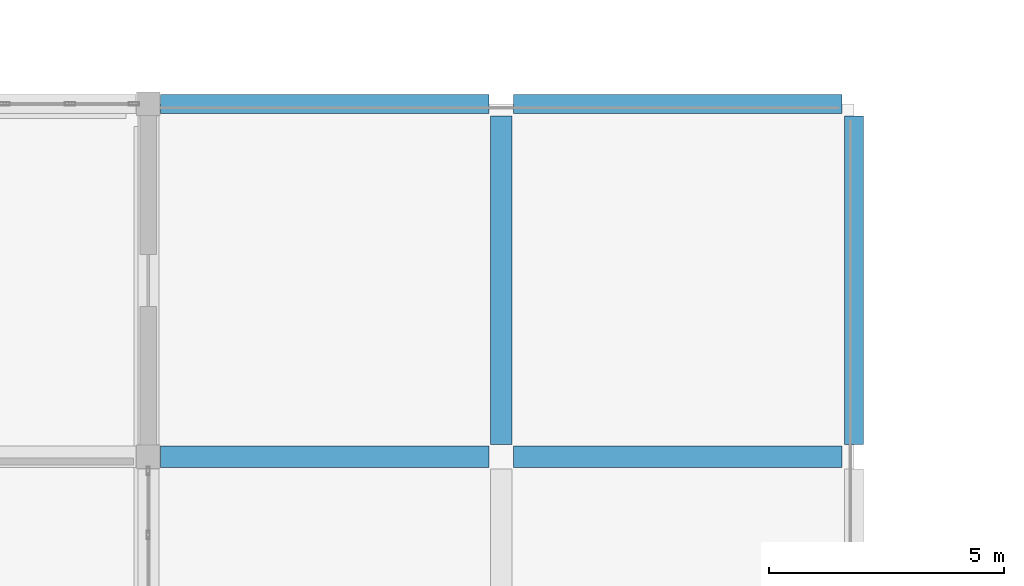
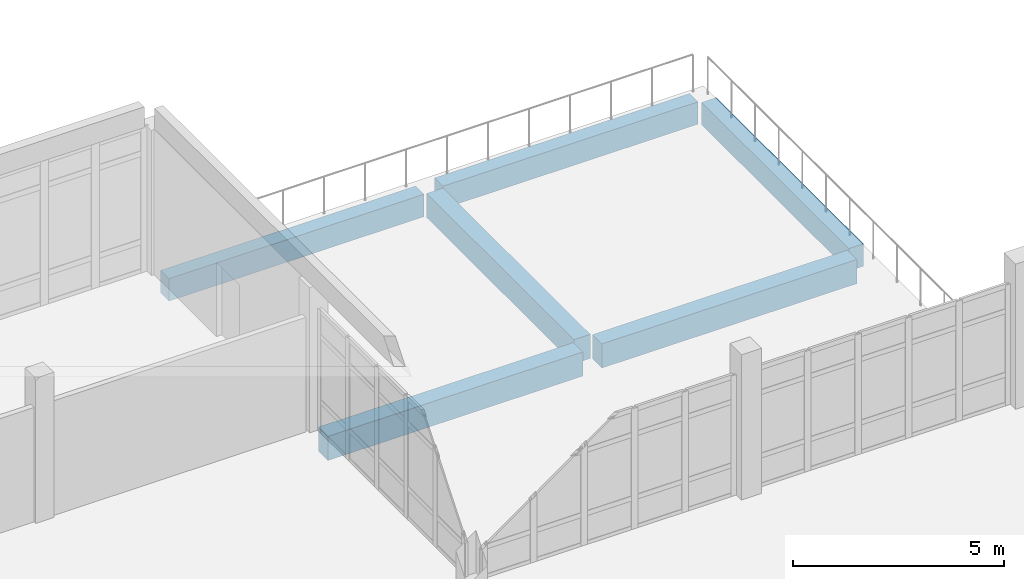
# One storey, part 71 of 164: 6 beams.
"""IFC4 building model written with IfcOpenShell, lengths in metres."""

import ifcopenshell
import ifcopenshell.guid

model = None  # the IFC model being written
_history = None  # IfcOwnerHistory: only IFC2X3 demands one
_inside = {}  # id of a spatial element -> (the spatial element, [elements in it])
_under = {}  # id of a project, library or spatial element -> (it, [spatial elements below it])
_declared = {}  # id of a project -> (the project, [libraries it declares])
_typed = {}  # id of a type object -> (the type object, [elements of that type])
_made_of = {}  # id of a material, layer set ... -> (it, [elements and type objects made of it])


def new_model(schema):
    """Start an empty IFC model of exactly this schema.

    Asked for "IFC4X3", IfcOpenShell would pick the latest addendum, in which some entities
    have other attributes; the version numbers below select the first issue.
    IFC2X3 requires an IfcOwnerHistory on every rooted entity: one is made here for all.
    """
    global model, _history
    if schema == "IFC4X3":
        model = ifcopenshell.file(schema_version=(4, 3, 0, 0))
    else:
        model = ifcopenshell.file(schema=schema)
    _inside.clear()
    _under.clear()
    _declared.clear()
    _typed.clear()
    _made_of.clear()
    _history = None
    if model.schema == "IFC2X3":
        org = make("IfcOrganization", Name="unknown")
        user = make(
            "IfcPersonAndOrganization",
            ThePerson=make("IfcPerson", FamilyName="unknown"),
            TheOrganization=org,
        )
        app = make(
            "IfcApplication",
            ApplicationDeveloper=org,
            Version="unknown",
            ApplicationFullName="unknown",
            ApplicationIdentifier="unknown",
        )
        _history = make(
            "IfcOwnerHistory",
            OwningUser=user,
            OwningApplication=app,
            ChangeAction="ADDED",
            CreationDate=0,
        )
    return model


def make(cls, **values):
    """One entity of the class cls with the attributes given. An attribute that is None is left unset."""
    return model.create_entity(
        cls, **{name: value for name, value in values.items() if value is not None}
    )


def rooted(cls, **values):
    """An entity with a GlobalId (a new one), such as an element, a storey or a relation."""
    return make(cls, GlobalId=ifcopenshell.guid.new(), OwnerHistory=_history, **values)


def si_unit(unit_type, name, prefix=None):
    """IfcSIUnit, for example si_unit("LENGTHUNIT", "METRE", prefix="MILLI")."""
    return make("IfcSIUnit", UnitType=unit_type, Prefix=prefix, Name=name)


def assignment(units):
    """IfcUnitAssignment: the units of a project."""
    return None if units is None else make("IfcUnitAssignment", Units=units)


def point(xyz):
    """IfcCartesianPoint."""
    return None if xyz is None else make("IfcCartesianPoint", Coordinates=xyz)


def direction(xyz):
    """IfcDirection."""
    return None if xyz is None else make("IfcDirection", DirectionRatios=xyz)


def frame(location, z_axis=None, x_axis=None):
    """IfcAxis2Placement3D, a coordinate frame: its origin and axes. An axis left out is left unset."""
    return make(
        "IfcAxis2Placement3D",
        Location=point(location),
        Axis=direction(z_axis),
        RefDirection=direction(x_axis),
    )


def frame_2d(location, x_axis=None):
    """IfcAxis2Placement2D, a coordinate frame in the plane: its origin and x axis."""
    return make(
        "IfcAxis2Placement2D", Location=point(location), RefDirection=direction(x_axis)
    )


def origin():
    """The frame at (0, 0, 0) with its axes left unset."""
    return frame((0.0, 0.0, 0.0))


def origin_2d():
    """The frame at (0, 0) in the plane with its x axis left unset."""
    return frame_2d((0.0, 0.0))


def place(relative_to, where):
    """IfcLocalPlacement: puts the frame where relative to a parent placement (None: the world)."""
    return make(
        "IfcLocalPlacement", PlacementRelTo=relative_to, RelativePlacement=where
    )


def context(
    kind, dimensions, precision=None, world=None, true_north=None, identifier=None
):
    """IfcGeometricRepresentationContext, for example the 3D "Model" context."""
    return make(
        "IfcGeometricRepresentationContext",
        ContextIdentifier=identifier,
        ContextType=kind,
        CoordinateSpaceDimension=dimensions,
        Precision=precision,
        WorldCoordinateSystem=world,
        TrueNorth=true_north,
    )


def subcontext(parent, identifier, kind, view, scale=None):
    """IfcGeometricRepresentationSubContext, for example "Body" below "Model"."""
    return make(
        "IfcGeometricRepresentationSubContext",
        ContextIdentifier=identifier,
        ContextType=kind,
        ParentContext=parent,
        TargetScale=scale,
        TargetView=view,
    )


def project(units=None, contexts=None):
    """IfcProject with its units and contexts."""
    return rooted(
        "IfcProject",
        Name="project",
        RepresentationContexts=contexts,
        UnitsInContext=assignment(units),
    )


def spatial(cls, under=None, at=None, **own):
    """A site, building, storey or space (cls), placed at a placement, below another one or the project."""
    s = rooted(cls, ObjectPlacement=at, **own)
    if under is not None:
        _under.setdefault(under.id(), (under, []))[1].append(s)
    return s


def profile(cls, at=None, kind="AREA", **sizes):
    """A parametric profile (cls). Its sizes go by their IFC names, for example OverallWidth=200.0."""
    return make(cls, ProfileType=kind, Position=at, **sizes)


def rectangle(**sizes):
    """IfcRectangleProfileDef."""
    return profile("IfcRectangleProfileDef", **sizes)


def extrude(swept, where, along, depth):
    """IfcExtrudedAreaSolid: the profile swept, set in the frame where, extruded along a direction by depth."""
    return make(
        "IfcExtrudedAreaSolid",
        SweptArea=swept,
        Position=where,
        ExtrudedDirection=direction(along),
        Depth=depth,
    )


def shape(context_of_items, identifier, shape_type, items):
    """IfcShapeRepresentation: the items that make up one representation, for example the "Body"."""
    return make(
        "IfcShapeRepresentation",
        ContextOfItems=context_of_items,
        RepresentationIdentifier=identifier,
        RepresentationType=shape_type,
        Items=items,
    )


def material(Name=None, Category=None):
    """IfcMaterial."""
    return make("IfcMaterial", Name=Name, Category=Category)


def material_profile(
    of_material, cross_section, Name=None, Category=None, Priority=None
):
    """IfcMaterialProfile: a cross section and its material."""
    return make(
        "IfcMaterialProfile",
        Name=Name,
        Material=of_material,
        Profile=cross_section,
        Priority=Priority,
        Category=Category,
    )


def profile_set(profiles, Name=None, composite=None):
    """IfcMaterialProfileSet."""
    return make(
        "IfcMaterialProfileSet",
        Name=Name,
        MaterialProfiles=profiles,
        CompositeProfile=composite,
    )


def made_of(thing, what):
    """Note that an element or type object is made of a material, layer set ...; save() writes the relation."""
    if what is not None:
        _made_of.setdefault(what.id(), (what, []))[1].append(thing)
    return thing


def type_object(cls, material=None, **own):
    """A type object (cls), such as IfcWallType, which elements share."""
    return made_of(rooted(cls, **own), material)


def element(
    cls,
    number,
    at=None,
    inside=None,
    cuts=None,
    type_object=None,
    material=None,
    context=None,
    identifier="Body",
    shape_type=None,
    held_by="IfcProductDefinitionShape",
    body=None,
    shapes=None,
    **own,
):
    """One element of the class cls, such as IfcWall. Its Tag is "e" and its number.

    at: its placement. inside: the storey or other place that contains it. cuts: it is an
    opening in that element (IfcRelVoidsElement). A single representation is given by context,
    identifier, shape_type and body (its items); several are given by shapes. held_by: the class
    of the entity that holds the representations. save() writes the other relations.
    """
    e = rooted(cls, Tag="e%d" % number, ObjectPlacement=at, **own)
    if body is not None:
        shapes = [shape(context, identifier, shape_type, body)]
    if shapes is not None:
        e.Representation = make(held_by, Representations=shapes)
    if inside is not None:
        _inside.setdefault(inside.id(), (inside, []))[1].append(e)
    if cuts is not None:
        rooted(
            "IfcRelVoidsElement", RelatingBuildingElement=cuts, RelatedOpeningElement=e
        )
    if type_object is not None:
        _typed.setdefault(type_object.id(), (type_object, []))[1].append(e)
    return made_of(e, material)


def aggregate(whole, parts):
    """IfcRelAggregates: a whole, such as a stair, and the parts it consists of."""
    return rooted("IfcRelAggregates", RelatingObject=whole, RelatedObjects=parts)


def save(model, path):
    """Write the relations noted so far, then the file.

    IfcRelAggregates (storeys below a building ...), IfcRelContainedInSpatialStructure (elements
    in a storey), IfcRelDefinesByType, IfcRelAssociatesMaterial and IfcRelDeclares: one each for
    every whole, place, type object, material and project.
    """
    for whole, parts in _under.values():
        aggregate(whole, parts)
    for where, things in _inside.values():
        rooted(
            "IfcRelContainedInSpatialStructure",
            RelatedElements=things,
            RelatingStructure=where,
        )
    for kind, things in _typed.values():
        rooted("IfcRelDefinesByType", RelatedObjects=things, RelatingType=kind)
    for what, things in _made_of.values():
        rooted("IfcRelAssociatesMaterial", RelatedObjects=things, RelatingMaterial=what)
    for by, libraries in _declared.values():
        rooted("IfcRelDeclares", RelatingContext=by, RelatedDefinitions=libraries)
    model.write(path)


model = new_model("IFC4")

# Units and contexts
model_context = context("Model", 3, precision=1e-05, world=origin(), true_north=direction((0.0, 1.0)))
body_context = subcontext(model_context, "Body", "Model", "MODEL_VIEW")
ifc_project = project(units=[si_unit("LENGTHUNIT", "METRE"), si_unit("AREAUNIT", "SQUARE_METRE"), si_unit("VOLUMEUNIT", "CUBIC_METRE"), si_unit("PLANEANGLEUNIT", "RADIAN"), si_unit("MASSUNIT", "GRAM", prefix="KILO")], contexts=[model_context])

# Site, building, storey
site_placement = place(None, origin())
site = spatial("IfcSite", under=ifc_project, at=site_placement, CompositionType="ELEMENT")
building_placement = place(site_placement, origin())
building = spatial("IfcBuilding", under=site, at=building_placement, Name="Mawjan Specialist Oncology Clinic", CompositionType="ELEMENT")
storey_placement = place(building_placement, frame((0.0, 0.0, 5.0)))
storey = spatial("IfcBuildingStorey", under=building, at=storey_placement, Name="L01", CompositionType="ELEMENT", Elevation=5.0)

# Beams
ifc_material_1 = material(Name="Concrete C40/50", Category="concrete")
ifc_material_profile_1 = material_profile(ifc_material_1, rectangle(XDim=0.449951171875, YDim=0.699951171875, at=origin_2d()), Name="RC BM 450x700", Category="concrete")
ifc_profile_set_1 = profile_set([ifc_material_profile_1], Name="Concrete C40/50")
beam_type_1 = type_object("IfcBeamType", Name="BM-450x700", PredefinedType="BEAM", material=ifc_profile_set_1)
for number, where, z_axis, x_axis, name in (
    (1, (30.260009765625, 68.300048828125, -0.64990234375), (1.0, 0.0, 0.0), (0.0, 1.0, 0.0), "L01 Collector Beam BM-L01-0307"),
    (2, (37.760009765625, 68.300048828125, -0.60009765625), (1.0, 0.0, 0.0), (0.0, 1.0, 0.0), "L01 Collector Beam BM-L01-0308"),
    (3, (37.5, 68.56005859375, -0.60009765625), (0.0, 1.0, 0.0), (-1.0, 0.0, 0.0), "L01 Collector Beam BM-L01-0471"),
):
    element("IfcBeam", number, at=place(storey_placement, frame(where, z_axis=z_axis, x_axis=x_axis)), inside=storey, type_object=beam_type_1, Name=name, PredefinedType="BEAM", context=body_context, shape_type="SweptSolid", body=[
        extrude(rectangle(XDim=0.449951171875, YDim=0.699951171875, at=origin_2d()), origin(), (0.0, 0.0, 1.0), 6.97998046875),
    ])
ifc_material_2 = material(Name="Concrete C45/55", Category="concrete")
ifc_material_profile_2 = material_profile(ifc_material_2, rectangle(XDim=0.39990234375, YDim=0.64990234375, at=origin_2d()), Name="RC BM 400x650", Category="concrete")
ifc_profile_set_2 = profile_set([ifc_material_profile_2], Name="Concrete C45/55")
beam_type_2 = type_object("IfcBeamType", Name="SP-400x650", PredefinedType="SPANDREL", material=ifc_profile_set_2)
for number, where, z_axis, x_axis, name in (
    (4, (30.260009765625, 75.800048828125, -0.625), (1.0, 0.0, 0.0), (0.0, 1.0, 0.0), "L01 Spandrel Beam BM-L01-0323"),
    (5, (37.760009765625, 75.800048828125, -0.574951171875), (1.0, 0.0, 0.0), (0.0, 1.0, 0.0), "L01 Spandrel Beam BM-L01-0324"),
    (6, (45.0, 68.56005859375, -0.574951171875), (0.0, 1.0, 0.0), (-1.0, 0.0, 0.0), "L01 Spandrel Beam BM-L01-0478"),
):
    element("IfcBeam", number, at=place(storey_placement, frame(where, z_axis=z_axis, x_axis=x_axis)), inside=storey, type_object=beam_type_2, Name=name, PredefinedType="SPANDREL", context=body_context, shape_type="SweptSolid", body=[
        extrude(rectangle(XDim=0.39990234375, YDim=0.64990234375, at=origin_2d()), origin(), (0.0, 0.0, 1.0), 6.97998046875),
    ])

save(model, "model.ifc")
